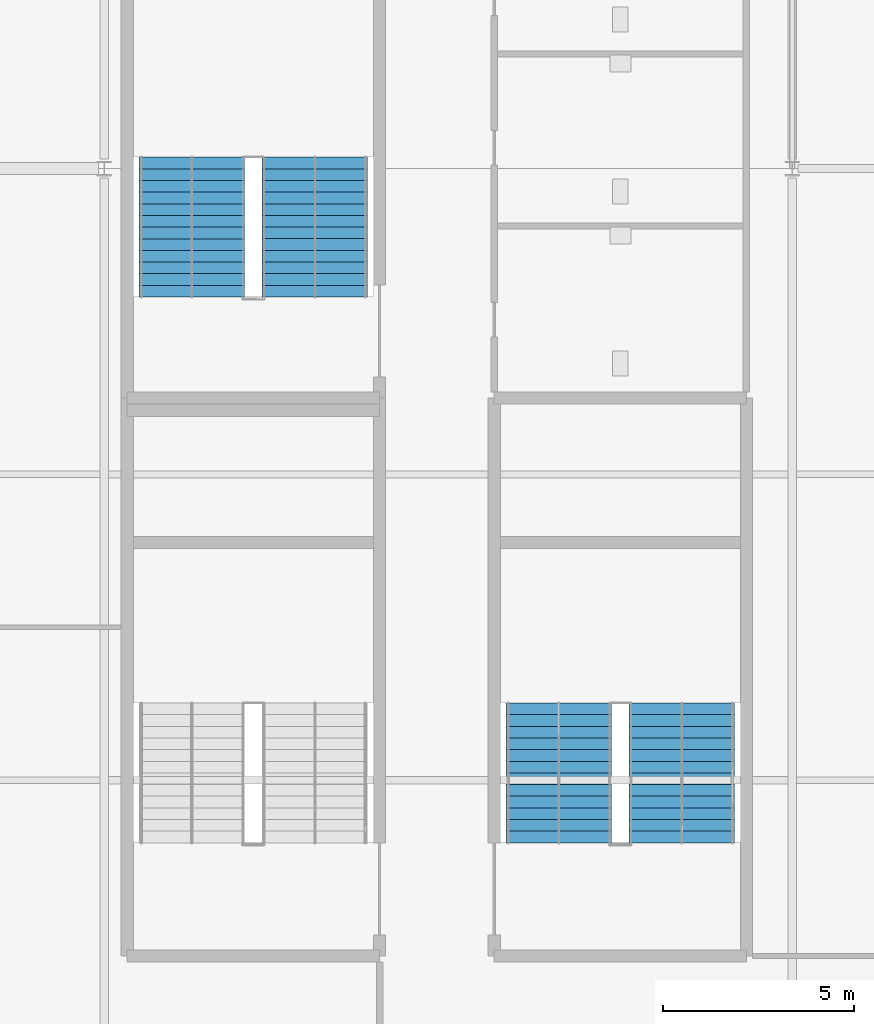
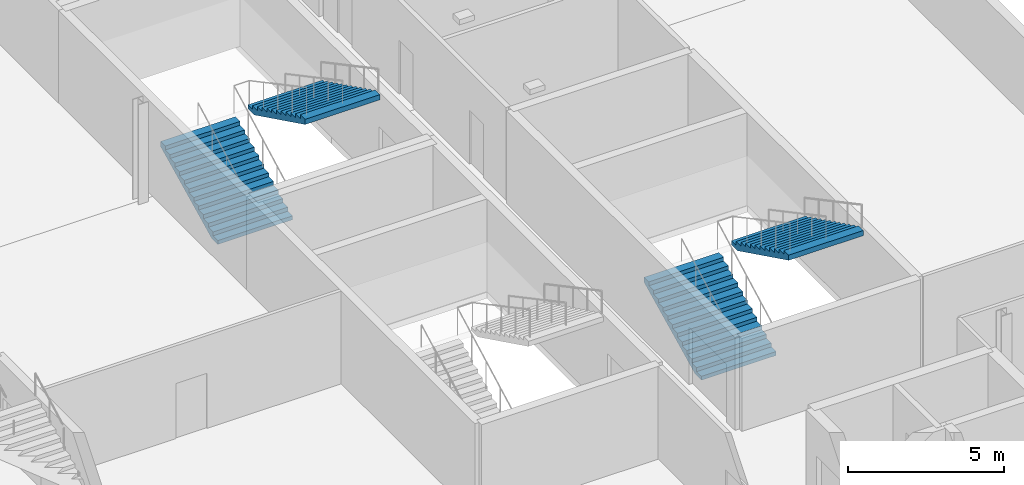
# One storey, part 87 of 98: 4 stair flights, 2 elements without a shape of their own.
"""IFC4 building model written with IfcOpenShell, lengths in metres."""

from ifc_helpers import new_model, si_unit, direction, frame, origin, place, context, subcontext, project, spatial, polygons, material, type_object, element, aggregate, save


model = new_model("IFC4")

# Units and contexts
model_context = context("Model", 3, precision=1e-05, world=origin(), true_north=direction((0.0, 1.0)))
body_context = subcontext(model_context, "Body", "Model", "MODEL_VIEW")
ifc_project = project(units=[si_unit("LENGTHUNIT", "METRE"), si_unit("AREAUNIT", "SQUARE_METRE"), si_unit("VOLUMEUNIT", "CUBIC_METRE"), si_unit("PLANEANGLEUNIT", "RADIAN"), si_unit("MASSUNIT", "GRAM", prefix="KILO")], contexts=[model_context])

# Site, building, storey
site_placement = place(None, origin())
site = spatial("IfcSite", under=ifc_project, at=site_placement, CompositionType="ELEMENT")
building_placement = place(site_placement, origin())
building = spatial("IfcBuilding", under=site, at=building_placement, Name="Kisiwana Market Hall", CompositionType="ELEMENT")
storey_placement = place(building_placement, frame((0.0, 0.0, 29.39990234375)))
storey = spatial("IfcBuildingStorey", under=building, at=storey_placement, Name="L06", CompositionType="ELEMENT", Elevation=29.39990234375)

# Stair, stair flights
ifc_material_1 = material(Name="Concrete C32/40", Category="concrete")
stair_type = type_object("IfcStairType", Name="ST-ESC-3900", PredefinedType="TWO_STRAIGHT_RUN_STAIR", material=ifc_material_1)
stair_1_placement = place(storey_placement, origin())
stair_1 = element("IfcStair", 1, at=stair_1_placement, inside=storey, type_object=stair_type, Name="Escape stair ST-E3-L06", PredefinedType="TWO_STRAIGHT_RUN_STAIR")
ifc_material_2 = material(Name="Concrete C32/40", Category="concrete")
stair_flight_type = type_object("IfcStairFlightType", Name="SF-ESC-3900", PredefinedType="STRAIGHT", material=ifc_material_2)
stair_flight_1_placement = place(storey_placement, frame((182.889892578125, 42.360107421875, 0.0), z_axis=(0.0, 0.0, 1.0), x_axis=(0.0, 1.0, 0.0)))
stair_flight_1 = element("IfcStairFlight", 2, at=stair_flight_1_placement, type_object=stair_flight_type, Name="ST-E3-L06 flight 1", NumberOfRisers=13, NumberOfTreads=12, PredefinedType="STRAIGHT", RiserHeight=0.15, TreadLength=0.305, context=body_context, shape_type="Tessellation", body=[
    polygons([(0.0, -1.380127, 0.0), (0.0, -0.690125, 0.0), (0.0, -0.000122, 0.0), (0.0, 0.68988, 0.0), (0.0, 1.379883, 0.0), (0.0, -1.380127, 0.149902), (0.0, -0.690125, 0.149902), (0.0, -0.000122, 0.149902), (0.0, 0.68988, 0.149902), (0.0, 1.379883, 0.149902), (0.304932, -1.380127, 0.149902), (0.304932, -0.690125, 0.149902), (0.304932, -0.000122, 0.149902), (0.304932, 0.68988, 0.149902), (0.304932, 1.379883, 0.149902), (0.304932, -1.380127, 0.300049), (0.304932, -0.690125, 0.300049), (0.304932, -0.000122, 0.300049), (0.304932, 0.68988, 0.300049), (0.304932, 1.379883, 0.300049), (0.610107, -1.380127, 0.300049), (0.610107, -0.690125, 0.300049), (0.610107, -0.000122, 0.300049), (0.610107, 0.68988, 0.300049), (0.610107, 1.379883, 0.300049), (0.610107, -1.380127, 0.449951), (0.610107, -0.690125, 0.449951), (0.610107, -0.000122, 0.449951), (0.610107, 0.68988, 0.449951), (0.610107, 1.379883, 0.449951), (0.915039, -1.380127, 0.449951), (0.915039, -0.690125, 0.449951), (0.915039, -0.000122, 0.449951), (0.915039, 0.68988, 0.449951), (0.915039, 1.379883, 0.449951), (0.915039, -1.380127, 0.600098), (0.915039, -0.690125, 0.600098), (0.915039, -0.000122, 0.600098), (0.915039, 0.68988, 0.600098), (0.915039, 1.379883, 0.600098), (1.219971, -1.380127, 0.600098), (1.219971, -0.690125, 0.600098), (1.219971, -0.000122, 0.600098), (1.219971, 0.68988, 0.600098), (1.219971, 1.379883, 0.600098), (1.219971, -1.380127, 0.75), (1.219971, -0.690125, 0.75), (1.219971, -0.000122, 0.75), (1.219971, 0.68988, 0.75), (1.219971, 1.379883, 0.75), (1.524902, -1.380127, 0.75), (1.524902, -0.690125, 0.75), (1.524902, -0.000122, 0.75), (1.524902, 0.68988, 0.75), (1.524902, 1.379883, 0.75), (1.524902, -1.380127, 0.899902), (1.524902, -0.690125, 0.899902), (1.524902, -0.000122, 0.899902), (1.524902, 0.68988, 0.899902), (1.524902, 1.379883, 0.899902), (1.830078, -1.380127, 0.899902), (1.830078, -0.690125, 0.899902), (1.830078, -0.000122, 0.899902), (1.830078, 0.68988, 0.899902), (1.830078, 1.379883, 0.899902), (1.830078, -1.380127, 1.050049), (1.830078, -0.690125, 1.050049), (1.830078, -0.000122, 1.050049), (1.830078, 0.68988, 1.050049), (1.830078, 1.379883, 1.050049), (2.13501, -1.380127, 1.050049), (2.13501, -0.690125, 1.050049), (2.13501, -0.000122, 1.050049), (2.13501, 0.68988, 1.050049), (2.13501, 1.379883, 1.050049), (2.13501, -1.380127, 1.199951), (2.13501, -0.690125, 1.199951), (2.13501, -0.000122, 1.199951), (2.13501, 0.68988, 1.199951), (2.13501, 1.379883, 1.199951), (2.439941, -1.380127, 1.199951), (2.439941, -0.690125, 1.199951), (2.439941, -0.000122, 1.199951), (2.439941, 0.68988, 1.199951), (2.439941, 1.379883, 1.199951), (2.439941, -1.380127, 1.350098), (2.439941, -0.690125, 1.350098), (2.439941, -0.000122, 1.350098), (2.439941, 0.68988, 1.350098), (2.439941, 1.379883, 1.350098), (2.745117, -1.380127, 1.350098), (2.745117, -0.690125, 1.350098), (2.745117, -0.000122, 1.350098), (2.745117, 0.68988, 1.350098), (2.745117, 1.379883, 1.350098), (2.745117, -1.380127, 1.5), (2.745117, -0.690125, 1.5), (2.745117, -0.000122, 1.5), (2.745117, 0.68988, 1.5), (2.745117, 1.379883, 1.5), (3.050049, -1.380127, 1.5), (3.050049, -0.690125, 1.5), (3.050049, -0.000122, 1.5), (3.050049, 0.68988, 1.5), (3.050049, 1.379883, 1.5), (3.050049, -1.380127, 1.649902), (3.050049, -0.690125, 1.649902), (3.050049, -0.000122, 1.649902), (3.050049, 0.68988, 1.649902), (3.050049, 1.379883, 1.649902), (3.35498, -1.380127, 1.649902), (3.35498, -0.690125, 1.649902), (3.35498, -0.000122, 1.649902), (3.35498, 0.68988, 1.649902), (3.35498, 1.379883, 1.649902), (3.35498, -1.380127, 1.800049), (3.35498, -0.690125, 1.800049), (3.35498, -0.000122, 1.800049), (3.35498, 0.68988, 1.800049), (3.35498, 1.379883, 1.800049), (3.659912, -1.380127, 1.800049), (3.659912, -0.690125, 1.800049), (3.659912, -0.000122, 1.800049), (3.659912, 0.68988, 1.800049), (3.659912, 1.379883, 1.800049), (3.659912, -1.380127, 1.599365), (3.659912, -0.690125, 1.599365), (3.659912, -0.000122, 1.599365), (3.659912, 0.68988, 1.599365), (3.659912, 1.379883, 1.599365), (0.407715, -1.380127, 0.0), (0.407715, -0.690125, 0.0), (0.407715, -0.000122, 0.0), (0.407715, 0.68988, 0.0), (0.407715, 1.379883, 0.0)], [[[1, 6, 7, 2]], [[2, 7, 8, 3]], [[3, 8, 9, 4]], [[4, 9, 10, 5]], [[6, 11, 12, 7]], [[7, 12, 13, 8]], [[8, 13, 14, 9]], [[9, 14, 15, 10]], [[11, 16, 17, 12]], [[12, 17, 18, 13]], [[13, 18, 19, 14]], [[14, 19, 20, 15]], [[16, 21, 22, 17]], [[17, 22, 23, 18]], [[18, 23, 24, 19]], [[19, 24, 25, 20]], [[21, 26, 27, 22]], [[22, 27, 28, 23]], [[23, 28, 29, 24]], [[24, 29, 30, 25]], [[26, 31, 32, 27]], [[27, 32, 33, 28]], [[28, 33, 34, 29]], [[29, 34, 35, 30]], [[31, 36, 37, 32]], [[32, 37, 38, 33]], [[33, 38, 39, 34]], [[34, 39, 40, 35]], [[36, 41, 42, 37]], [[37, 42, 43, 38]], [[38, 43, 44, 39]], [[39, 44, 45, 40]], [[41, 46, 47, 42]], [[42, 47, 48, 43]], [[43, 48, 49, 44]], [[44, 49, 50, 45]], [[46, 51, 52, 47]], [[47, 52, 53, 48]], [[48, 53, 54, 49]], [[49, 54, 55, 50]], [[51, 56, 57, 52]], [[52, 57, 58, 53]], [[53, 58, 59, 54]], [[54, 59, 60, 55]], [[56, 61, 62, 57]], [[57, 62, 63, 58]], [[58, 63, 64, 59]], [[59, 64, 65, 60]], [[61, 66, 67, 62]], [[62, 67, 68, 63]], [[63, 68, 69, 64]], [[64, 69, 70, 65]], [[66, 71, 72, 67]], [[67, 72, 73, 68]], [[68, 73, 74, 69]], [[69, 74, 75, 70]], [[71, 76, 77, 72]], [[72, 77, 78, 73]], [[73, 78, 79, 74]], [[74, 79, 80, 75]], [[76, 81, 82, 77]], [[77, 82, 83, 78]], [[78, 83, 84, 79]], [[79, 84, 85, 80]], [[81, 86, 87, 82]], [[82, 87, 88, 83]], [[83, 88, 89, 84]], [[84, 89, 90, 85]], [[86, 91, 92, 87]], [[87, 92, 93, 88]], [[88, 93, 94, 89]], [[89, 94, 95, 90]], [[91, 96, 97, 92]], [[92, 97, 98, 93]], [[93, 98, 99, 94]], [[94, 99, 100, 95]], [[96, 101, 102, 97]], [[97, 102, 103, 98]], [[98, 103, 104, 99]], [[99, 104, 105, 100]], [[101, 106, 107, 102]], [[102, 107, 108, 103]], [[103, 108, 109, 104]], [[104, 109, 110, 105]], [[106, 111, 112, 107]], [[107, 112, 113, 108]], [[108, 113, 114, 109]], [[109, 114, 115, 110]], [[111, 116, 117, 112]], [[112, 117, 118, 113]], [[113, 118, 119, 114]], [[114, 119, 120, 115]], [[116, 121, 122, 117]], [[117, 122, 123, 118]], [[118, 123, 124, 119]], [[119, 124, 125, 120]], [[121, 126, 127, 122]], [[122, 127, 128, 123]], [[123, 128, 129, 124]], [[124, 129, 130, 125]], [[126, 131, 132, 127]], [[127, 132, 133, 128]], [[128, 133, 134, 129]], [[129, 134, 135, 130]], [[131, 1, 2, 132]], [[132, 2, 3, 133]], [[133, 3, 4, 134]], [[134, 4, 5, 135]], [[131, 126, 121, 116, 111, 106, 101, 96, 91, 86, 81, 76, 71, 66, 61, 56, 51, 46, 41, 36, 31, 26, 21, 16, 11, 6, 1]], [[5, 10, 15, 20, 25, 30, 35, 40, 45, 50, 55, 60, 65, 70, 75, 80, 85, 90, 95, 100, 105, 110, 115, 120, 125, 130, 135]]], closed=True),
])
stair_flight_2_placement = place(storey_placement, frame((186.110107421875, 46.02001953125, 1.9501953125), z_axis=(0.0, 0.0, 1.0), x_axis=(0.0, -1.0, 0.0)))
stair_flight_2 = element("IfcStairFlight", 3, at=stair_flight_2_placement, type_object=stair_flight_type, Name="ST-E3-L06 flight 2", NumberOfRisers=13, NumberOfTreads=12, PredefinedType="STRAIGHT", RiserHeight=0.15, TreadLength=0.305, context=body_context, shape_type="Tessellation", body=[
    polygons([(0.0, -1.380127, 0.0), (0.0, -0.690125, 0.0), (0.0, -0.000122, 0.0), (0.0, 0.68988, 0.0), (0.0, 1.379883, 0.0), (0.0, -1.380127, 0.149902), (0.0, -0.690125, 0.149902), (0.0, -0.000122, 0.149902), (0.0, 0.68988, 0.149902), (0.0, 1.379883, 0.149902), (0.304932, -1.380127, 0.149902), (0.304932, -0.690125, 0.149902), (0.304932, -0.000122, 0.149902), (0.304932, 0.68988, 0.149902), (0.304932, 1.379883, 0.149902), (0.304932, -1.380127, 0.300049), (0.304932, -0.690125, 0.300049), (0.304932, -0.000122, 0.300049), (0.304932, 0.68988, 0.300049), (0.304932, 1.379883, 0.300049), (0.610107, -1.380127, 0.300049), (0.610107, -0.690125, 0.300049), (0.610107, -0.000122, 0.300049), (0.610107, 0.68988, 0.300049), (0.610107, 1.379883, 0.300049), (0.610107, -1.380127, 0.449951), (0.610107, -0.690125, 0.449951), (0.610107, -0.000122, 0.449951), (0.610107, 0.68988, 0.449951), (0.610107, 1.379883, 0.449951), (0.915039, -1.380127, 0.449951), (0.915039, -0.690125, 0.449951), (0.915039, -0.000122, 0.449951), (0.915039, 0.68988, 0.449951), (0.915039, 1.379883, 0.449951), (0.915039, -1.380127, 0.600098), (0.915039, -0.690125, 0.600098), (0.915039, -0.000122, 0.600098), (0.915039, 0.68988, 0.600098), (0.915039, 1.379883, 0.600098), (1.219971, -1.380127, 0.600098), (1.219971, -0.690125, 0.600098), (1.219971, -0.000122, 0.600098), (1.219971, 0.68988, 0.600098), (1.219971, 1.379883, 0.600098), (1.219971, -1.380127, 0.75), (1.219971, -0.690125, 0.75), (1.219971, -0.000122, 0.75), (1.219971, 0.68988, 0.75), (1.219971, 1.379883, 0.75), (1.524902, -1.380127, 0.75), (1.524902, -0.690125, 0.75), (1.524902, -0.000122, 0.75), (1.524902, 0.68988, 0.75), (1.524902, 1.379883, 0.75), (1.524902, -1.380127, 0.899902), (1.524902, -0.690125, 0.899902), (1.524902, -0.000122, 0.899902), (1.524902, 0.68988, 0.899902), (1.524902, 1.379883, 0.899902), (1.830078, -1.380127, 0.899902), (1.830078, -0.690125, 0.899902), (1.830078, -0.000122, 0.899902), (1.830078, 0.68988, 0.899902), (1.830078, 1.379883, 0.899902), (1.830078, -1.380127, 1.050049), (1.830078, -0.690125, 1.050049), (1.830078, -0.000122, 1.050049), (1.830078, 0.68988, 1.050049), (1.830078, 1.379883, 1.050049), (2.13501, -1.380127, 1.050049), (2.13501, -0.690125, 1.050049), (2.13501, -0.000122, 1.050049), (2.13501, 0.68988, 1.050049), (2.13501, 1.379883, 1.050049), (2.13501, -1.380127, 1.199951), (2.13501, -0.690125, 1.199951), (2.13501, -0.000122, 1.199951), (2.13501, 0.68988, 1.199951), (2.13501, 1.379883, 1.199951), (2.439941, -1.380127, 1.199951), (2.439941, -0.690125, 1.199951), (2.439941, -0.000122, 1.199951), (2.439941, 0.68988, 1.199951), (2.439941, 1.379883, 1.199951), (2.439941, -1.380127, 1.350098), (2.439941, -0.690125, 1.350098), (2.439941, -0.000122, 1.350098), (2.439941, 0.68988, 1.350098), (2.439941, 1.379883, 1.350098), (2.745117, -1.380127, 1.350098), (2.745117, -0.690125, 1.350098), (2.745117, -0.000122, 1.350098), (2.745117, 0.68988, 1.350098), (2.745117, 1.379883, 1.350098), (2.745117, -1.380127, 1.5), (2.745117, -0.690125, 1.5), (2.745117, -0.000122, 1.5), (2.745117, 0.68988, 1.5), (2.745117, 1.379883, 1.5), (3.050049, -1.380127, 1.5), (3.050049, -0.690125, 1.5), (3.050049, -0.000122, 1.5), (3.050049, 0.68988, 1.5), (3.050049, 1.379883, 1.5), (3.050049, -1.380127, 1.649902), (3.050049, -0.690125, 1.649902), (3.050049, -0.000122, 1.649902), (3.050049, 0.68988, 1.649902), (3.050049, 1.379883, 1.649902), (3.35498, -1.380127, 1.649902), (3.35498, -0.690125, 1.649902), (3.35498, -0.000122, 1.649902), (3.35498, 0.68988, 1.649902), (3.35498, 1.379883, 1.649902), (3.35498, -1.380127, 1.800049), (3.35498, -0.690125, 1.800049), (3.35498, -0.000122, 1.800049), (3.35498, 0.68988, 1.800049), (3.35498, 1.379883, 1.800049), (3.659912, -1.380127, 1.800049), (3.659912, -0.690125, 1.800049), (3.659912, -0.000122, 1.800049), (3.659912, 0.68988, 1.800049), (3.659912, 1.379883, 1.800049), (3.659912, -1.380127, 1.599365), (3.659912, -0.690125, 1.599365), (3.659912, -0.000122, 1.599365), (3.659912, 0.68988, 1.599365), (3.659912, 1.379883, 1.599365), (0.407715, -1.380127, 0.0), (0.407715, -0.690125, 0.0), (0.407715, -0.000122, 0.0), (0.407715, 0.68988, 0.0), (0.407715, 1.379883, 0.0)], [[[1, 6, 7, 2]], [[2, 7, 8, 3]], [[3, 8, 9, 4]], [[4, 9, 10, 5]], [[6, 11, 12, 7]], [[7, 12, 13, 8]], [[8, 13, 14, 9]], [[9, 14, 15, 10]], [[11, 16, 17, 12]], [[12, 17, 18, 13]], [[13, 18, 19, 14]], [[14, 19, 20, 15]], [[16, 21, 22, 17]], [[17, 22, 23, 18]], [[18, 23, 24, 19]], [[19, 24, 25, 20]], [[21, 26, 27, 22]], [[22, 27, 28, 23]], [[23, 28, 29, 24]], [[24, 29, 30, 25]], [[26, 31, 32, 27]], [[27, 32, 33, 28]], [[28, 33, 34, 29]], [[29, 34, 35, 30]], [[31, 36, 37, 32]], [[32, 37, 38, 33]], [[33, 38, 39, 34]], [[34, 39, 40, 35]], [[36, 41, 42, 37]], [[37, 42, 43, 38]], [[38, 43, 44, 39]], [[39, 44, 45, 40]], [[41, 46, 47, 42]], [[42, 47, 48, 43]], [[43, 48, 49, 44]], [[44, 49, 50, 45]], [[46, 51, 52, 47]], [[47, 52, 53, 48]], [[48, 53, 54, 49]], [[49, 54, 55, 50]], [[51, 56, 57, 52]], [[52, 57, 58, 53]], [[53, 58, 59, 54]], [[54, 59, 60, 55]], [[56, 61, 62, 57]], [[57, 62, 63, 58]], [[58, 63, 64, 59]], [[59, 64, 65, 60]], [[61, 66, 67, 62]], [[62, 67, 68, 63]], [[63, 68, 69, 64]], [[64, 69, 70, 65]], [[66, 71, 72, 67]], [[67, 72, 73, 68]], [[68, 73, 74, 69]], [[69, 74, 75, 70]], [[71, 76, 77, 72]], [[72, 77, 78, 73]], [[73, 78, 79, 74]], [[74, 79, 80, 75]], [[76, 81, 82, 77]], [[77, 82, 83, 78]], [[78, 83, 84, 79]], [[79, 84, 85, 80]], [[81, 86, 87, 82]], [[82, 87, 88, 83]], [[83, 88, 89, 84]], [[84, 89, 90, 85]], [[86, 91, 92, 87]], [[87, 92, 93, 88]], [[88, 93, 94, 89]], [[89, 94, 95, 90]], [[91, 96, 97, 92]], [[92, 97, 98, 93]], [[93, 98, 99, 94]], [[94, 99, 100, 95]], [[96, 101, 102, 97]], [[97, 102, 103, 98]], [[98, 103, 104, 99]], [[99, 104, 105, 100]], [[101, 106, 107, 102]], [[102, 107, 108, 103]], [[103, 108, 109, 104]], [[104, 109, 110, 105]], [[106, 111, 112, 107]], [[107, 112, 113, 108]], [[108, 113, 114, 109]], [[109, 114, 115, 110]], [[111, 116, 117, 112]], [[112, 117, 118, 113]], [[113, 118, 119, 114]], [[114, 119, 120, 115]], [[116, 121, 122, 117]], [[117, 122, 123, 118]], [[118, 123, 124, 119]], [[119, 124, 125, 120]], [[121, 126, 127, 122]], [[122, 127, 128, 123]], [[123, 128, 129, 124]], [[124, 129, 130, 125]], [[126, 131, 132, 127]], [[127, 132, 133, 128]], [[128, 133, 134, 129]], [[129, 134, 135, 130]], [[131, 1, 2, 132]], [[132, 2, 3, 133]], [[133, 3, 4, 134]], [[134, 4, 5, 135]], [[131, 126, 121, 116, 111, 106, 101, 96, 91, 86, 81, 76, 71, 66, 61, 56, 51, 46, 41, 36, 31, 26, 21, 16, 11, 6, 1]], [[5, 10, 15, 20, 25, 30, 35, 40, 45, 50, 55, 60, 65, 70, 75, 80, 85, 90, 95, 100, 105, 110, 115, 120, 125, 130, 135]]], closed=True),
])
aggregate(stair_1, [stair_flight_1, stair_flight_2])

stair_2_placement = place(storey_placement, origin())
stair_2 = element("IfcStair", 4, at=stair_2_placement, inside=storey, type_object=stair_type, Name="Escape stair ST-E5-L06", PredefinedType="TWO_STRAIGHT_RUN_STAIR")
stair_flight_3_placement = place(storey_placement, frame((173.2900390625, 56.639892578125, 0.0), z_axis=(0.0, 0.0, 1.0), x_axis=(0.0, 1.0, 0.0)))
stair_flight_3 = element("IfcStairFlight", 5, at=stair_flight_3_placement, type_object=stair_flight_type, Name="ST-E5-L06 flight 1", NumberOfRisers=13, NumberOfTreads=12, PredefinedType="STRAIGHT", RiserHeight=0.15, TreadLength=0.305, context=body_context, shape_type="Tessellation", body=[
    polygons([(0.0, -1.380127, 0.0), (0.0, -0.690125, 0.0), (0.0, -0.000122, 0.0), (0.0, 0.68988, 0.0), (0.0, 1.379883, 0.0), (0.0, -1.380127, 0.149902), (0.0, -0.690125, 0.149902), (0.0, -0.000122, 0.149902), (0.0, 0.68988, 0.149902), (0.0, 1.379883, 0.149902), (0.304932, -1.380127, 0.149902), (0.304932, -0.690125, 0.149902), (0.304932, -0.000122, 0.149902), (0.304932, 0.68988, 0.149902), (0.304932, 1.379883, 0.149902), (0.304932, -1.380127, 0.300049), (0.304932, -0.690125, 0.300049), (0.304932, -0.000122, 0.300049), (0.304932, 0.68988, 0.300049), (0.304932, 1.379883, 0.300049), (0.610107, -1.380127, 0.300049), (0.610107, -0.690125, 0.300049), (0.610107, -0.000122, 0.300049), (0.610107, 0.68988, 0.300049), (0.610107, 1.379883, 0.300049), (0.610107, -1.380127, 0.449951), (0.610107, -0.690125, 0.449951), (0.610107, -0.000122, 0.449951), (0.610107, 0.68988, 0.449951), (0.610107, 1.379883, 0.449951), (0.915039, -1.380127, 0.449951), (0.915039, -0.690125, 0.449951), (0.915039, -0.000122, 0.449951), (0.915039, 0.68988, 0.449951), (0.915039, 1.379883, 0.449951), (0.915039, -1.380127, 0.600098), (0.915039, -0.690125, 0.600098), (0.915039, -0.000122, 0.600098), (0.915039, 0.68988, 0.600098), (0.915039, 1.379883, 0.600098), (1.219971, -1.380127, 0.600098), (1.219971, -0.690125, 0.600098), (1.219971, -0.000122, 0.600098), (1.219971, 0.68988, 0.600098), (1.219971, 1.379883, 0.600098), (1.219971, -1.380127, 0.75), (1.219971, -0.690125, 0.75), (1.219971, -0.000122, 0.75), (1.219971, 0.68988, 0.75), (1.219971, 1.379883, 0.75), (1.524902, -1.380127, 0.75), (1.524902, -0.690125, 0.75), (1.524902, -0.000122, 0.75), (1.524902, 0.68988, 0.75), (1.524902, 1.379883, 0.75), (1.524902, -1.380127, 0.899902), (1.524902, -0.690125, 0.899902), (1.524902, -0.000122, 0.899902), (1.524902, 0.68988, 0.899902), (1.524902, 1.379883, 0.899902), (1.830078, -1.380127, 0.899902), (1.830078, -0.690125, 0.899902), (1.830078, -0.000122, 0.899902), (1.830078, 0.68988, 0.899902), (1.830078, 1.379883, 0.899902), (1.830078, -1.380127, 1.050049), (1.830078, -0.690125, 1.050049), (1.830078, -0.000122, 1.050049), (1.830078, 0.68988, 1.050049), (1.830078, 1.379883, 1.050049), (2.13501, -1.380127, 1.050049), (2.13501, -0.690125, 1.050049), (2.13501, -0.000122, 1.050049), (2.13501, 0.68988, 1.050049), (2.13501, 1.379883, 1.050049), (2.13501, -1.380127, 1.199951), (2.13501, -0.690125, 1.199951), (2.13501, -0.000122, 1.199951), (2.13501, 0.68988, 1.199951), (2.13501, 1.379883, 1.199951), (2.439941, -1.380127, 1.199951), (2.439941, -0.690125, 1.199951), (2.439941, -0.000122, 1.199951), (2.439941, 0.68988, 1.199951), (2.439941, 1.379883, 1.199951), (2.439941, -1.380127, 1.350098), (2.439941, -0.690125, 1.350098), (2.439941, -0.000122, 1.350098), (2.439941, 0.68988, 1.350098), (2.439941, 1.379883, 1.350098), (2.745117, -1.380127, 1.350098), (2.745117, -0.690125, 1.350098), (2.745117, -0.000122, 1.350098), (2.745117, 0.68988, 1.350098), (2.745117, 1.379883, 1.350098), (2.745117, -1.380127, 1.5), (2.745117, -0.690125, 1.5), (2.745117, -0.000122, 1.5), (2.745117, 0.68988, 1.5), (2.745117, 1.379883, 1.5), (3.050049, -1.380127, 1.5), (3.050049, -0.690125, 1.5), (3.050049, -0.000122, 1.5), (3.050049, 0.68988, 1.5), (3.050049, 1.379883, 1.5), (3.050049, -1.380127, 1.649902), (3.050049, -0.690125, 1.649902), (3.050049, -0.000122, 1.649902), (3.050049, 0.68988, 1.649902), (3.050049, 1.379883, 1.649902), (3.35498, -1.380127, 1.649902), (3.35498, -0.690125, 1.649902), (3.35498, -0.000122, 1.649902), (3.35498, 0.68988, 1.649902), (3.35498, 1.379883, 1.649902), (3.35498, -1.380127, 1.800049), (3.35498, -0.690125, 1.800049), (3.35498, -0.000122, 1.800049), (3.35498, 0.68988, 1.800049), (3.35498, 1.379883, 1.800049), (3.659912, -1.380127, 1.800049), (3.659912, -0.690125, 1.800049), (3.659912, -0.000122, 1.800049), (3.659912, 0.68988, 1.800049), (3.659912, 1.379883, 1.800049), (3.659912, -1.380127, 1.599365), (3.659912, -0.690125, 1.599365), (3.659912, -0.000122, 1.599365), (3.659912, 0.68988, 1.599365), (3.659912, 1.379883, 1.599365), (0.407715, -1.380127, 0.0), (0.407715, -0.690125, 0.0), (0.407715, -0.000122, 0.0), (0.407715, 0.68988, 0.0), (0.407715, 1.379883, 0.0)], [[[1, 6, 7, 2]], [[2, 7, 8, 3]], [[3, 8, 9, 4]], [[4, 9, 10, 5]], [[6, 11, 12, 7]], [[7, 12, 13, 8]], [[8, 13, 14, 9]], [[9, 14, 15, 10]], [[11, 16, 17, 12]], [[12, 17, 18, 13]], [[13, 18, 19, 14]], [[14, 19, 20, 15]], [[16, 21, 22, 17]], [[17, 22, 23, 18]], [[18, 23, 24, 19]], [[19, 24, 25, 20]], [[21, 26, 27, 22]], [[22, 27, 28, 23]], [[23, 28, 29, 24]], [[24, 29, 30, 25]], [[26, 31, 32, 27]], [[27, 32, 33, 28]], [[28, 33, 34, 29]], [[29, 34, 35, 30]], [[31, 36, 37, 32]], [[32, 37, 38, 33]], [[33, 38, 39, 34]], [[34, 39, 40, 35]], [[36, 41, 42, 37]], [[37, 42, 43, 38]], [[38, 43, 44, 39]], [[39, 44, 45, 40]], [[41, 46, 47, 42]], [[42, 47, 48, 43]], [[43, 48, 49, 44]], [[44, 49, 50, 45]], [[46, 51, 52, 47]], [[47, 52, 53, 48]], [[48, 53, 54, 49]], [[49, 54, 55, 50]], [[51, 56, 57, 52]], [[52, 57, 58, 53]], [[53, 58, 59, 54]], [[54, 59, 60, 55]], [[56, 61, 62, 57]], [[57, 62, 63, 58]], [[58, 63, 64, 59]], [[59, 64, 65, 60]], [[61, 66, 67, 62]], [[62, 67, 68, 63]], [[63, 68, 69, 64]], [[64, 69, 70, 65]], [[66, 71, 72, 67]], [[67, 72, 73, 68]], [[68, 73, 74, 69]], [[69, 74, 75, 70]], [[71, 76, 77, 72]], [[72, 77, 78, 73]], [[73, 78, 79, 74]], [[74, 79, 80, 75]], [[76, 81, 82, 77]], [[77, 82, 83, 78]], [[78, 83, 84, 79]], [[79, 84, 85, 80]], [[81, 86, 87, 82]], [[82, 87, 88, 83]], [[83, 88, 89, 84]], [[84, 89, 90, 85]], [[86, 91, 92, 87]], [[87, 92, 93, 88]], [[88, 93, 94, 89]], [[89, 94, 95, 90]], [[91, 96, 97, 92]], [[92, 97, 98, 93]], [[93, 98, 99, 94]], [[94, 99, 100, 95]], [[96, 101, 102, 97]], [[97, 102, 103, 98]], [[98, 103, 104, 99]], [[99, 104, 105, 100]], [[101, 106, 107, 102]], [[102, 107, 108, 103]], [[103, 108, 109, 104]], [[104, 109, 110, 105]], [[106, 111, 112, 107]], [[107, 112, 113, 108]], [[108, 113, 114, 109]], [[109, 114, 115, 110]], [[111, 116, 117, 112]], [[112, 117, 118, 113]], [[113, 118, 119, 114]], [[114, 119, 120, 115]], [[116, 121, 122, 117]], [[117, 122, 123, 118]], [[118, 123, 124, 119]], [[119, 124, 125, 120]], [[121, 126, 127, 122]], [[122, 127, 128, 123]], [[123, 128, 129, 124]], [[124, 129, 130, 125]], [[126, 131, 132, 127]], [[127, 132, 133, 128]], [[128, 133, 134, 129]], [[129, 134, 135, 130]], [[131, 1, 2, 132]], [[132, 2, 3, 133]], [[133, 3, 4, 134]], [[134, 4, 5, 135]], [[131, 126, 121, 116, 111, 106, 101, 96, 91, 86, 81, 76, 71, 66, 61, 56, 51, 46, 41, 36, 31, 26, 21, 16, 11, 6, 1]], [[5, 10, 15, 20, 25, 30, 35, 40, 45, 50, 55, 60, 65, 70, 75, 80, 85, 90, 95, 100, 105, 110, 115, 120, 125, 130, 135]]], closed=True),
])
stair_flight_4_placement = place(storey_placement, frame((176.510009765625, 60.300048828125, 1.9501953125), z_axis=(0.0, 0.0, 1.0), x_axis=(0.0, -1.0, 0.0)))
stair_flight_4 = element("IfcStairFlight", 6, at=stair_flight_4_placement, type_object=stair_flight_type, Name="ST-E5-L06 flight 2", NumberOfRisers=13, NumberOfTreads=12, PredefinedType="STRAIGHT", RiserHeight=0.15, TreadLength=0.305, context=body_context, shape_type="Tessellation", body=[
    polygons([(0.0, -1.380127, 0.0), (0.0, -0.690125, 0.0), (0.0, -0.000122, 0.0), (0.0, 0.68988, 0.0), (0.0, 1.379883, 0.0), (0.0, -1.380127, 0.149902), (0.0, -0.690125, 0.149902), (0.0, -0.000122, 0.149902), (0.0, 0.68988, 0.149902), (0.0, 1.379883, 0.149902), (0.304932, -1.380127, 0.149902), (0.304932, -0.690125, 0.149902), (0.304932, -0.000122, 0.149902), (0.304932, 0.68988, 0.149902), (0.304932, 1.379883, 0.149902), (0.304932, -1.380127, 0.300049), (0.304932, -0.690125, 0.300049), (0.304932, -0.000122, 0.300049), (0.304932, 0.68988, 0.300049), (0.304932, 1.379883, 0.300049), (0.610107, -1.380127, 0.300049), (0.610107, -0.690125, 0.300049), (0.610107, -0.000122, 0.300049), (0.610107, 0.68988, 0.300049), (0.610107, 1.379883, 0.300049), (0.610107, -1.380127, 0.449951), (0.610107, -0.690125, 0.449951), (0.610107, -0.000122, 0.449951), (0.610107, 0.68988, 0.449951), (0.610107, 1.379883, 0.449951), (0.915039, -1.380127, 0.449951), (0.915039, -0.690125, 0.449951), (0.915039, -0.000122, 0.449951), (0.915039, 0.68988, 0.449951), (0.915039, 1.379883, 0.449951), (0.915039, -1.380127, 0.600098), (0.915039, -0.690125, 0.600098), (0.915039, -0.000122, 0.600098), (0.915039, 0.68988, 0.600098), (0.915039, 1.379883, 0.600098), (1.219971, -1.380127, 0.600098), (1.219971, -0.690125, 0.600098), (1.219971, -0.000122, 0.600098), (1.219971, 0.68988, 0.600098), (1.219971, 1.379883, 0.600098), (1.219971, -1.380127, 0.75), (1.219971, -0.690125, 0.75), (1.219971, -0.000122, 0.75), (1.219971, 0.68988, 0.75), (1.219971, 1.379883, 0.75), (1.524902, -1.380127, 0.75), (1.524902, -0.690125, 0.75), (1.524902, -0.000122, 0.75), (1.524902, 0.68988, 0.75), (1.524902, 1.379883, 0.75), (1.524902, -1.380127, 0.899902), (1.524902, -0.690125, 0.899902), (1.524902, -0.000122, 0.899902), (1.524902, 0.68988, 0.899902), (1.524902, 1.379883, 0.899902), (1.830078, -1.380127, 0.899902), (1.830078, -0.690125, 0.899902), (1.830078, -0.000122, 0.899902), (1.830078, 0.68988, 0.899902), (1.830078, 1.379883, 0.899902), (1.830078, -1.380127, 1.050049), (1.830078, -0.690125, 1.050049), (1.830078, -0.000122, 1.050049), (1.830078, 0.68988, 1.050049), (1.830078, 1.379883, 1.050049), (2.13501, -1.380127, 1.050049), (2.13501, -0.690125, 1.050049), (2.13501, -0.000122, 1.050049), (2.13501, 0.68988, 1.050049), (2.13501, 1.379883, 1.050049), (2.13501, -1.380127, 1.199951), (2.13501, -0.690125, 1.199951), (2.13501, -0.000122, 1.199951), (2.13501, 0.68988, 1.199951), (2.13501, 1.379883, 1.199951), (2.439941, -1.380127, 1.199951), (2.439941, -0.690125, 1.199951), (2.439941, -0.000122, 1.199951), (2.439941, 0.68988, 1.199951), (2.439941, 1.379883, 1.199951), (2.439941, -1.380127, 1.350098), (2.439941, -0.690125, 1.350098), (2.439941, -0.000122, 1.350098), (2.439941, 0.68988, 1.350098), (2.439941, 1.379883, 1.350098), (2.745117, -1.380127, 1.350098), (2.745117, -0.690125, 1.350098), (2.745117, -0.000122, 1.350098), (2.745117, 0.68988, 1.350098), (2.745117, 1.379883, 1.350098), (2.745117, -1.380127, 1.5), (2.745117, -0.690125, 1.5), (2.745117, -0.000122, 1.5), (2.745117, 0.68988, 1.5), (2.745117, 1.379883, 1.5), (3.050049, -1.380127, 1.5), (3.050049, -0.690125, 1.5), (3.050049, -0.000122, 1.5), (3.050049, 0.68988, 1.5), (3.050049, 1.379883, 1.5), (3.050049, -1.380127, 1.649902), (3.050049, -0.690125, 1.649902), (3.050049, -0.000122, 1.649902), (3.050049, 0.68988, 1.649902), (3.050049, 1.379883, 1.649902), (3.35498, -1.380127, 1.649902), (3.35498, -0.690125, 1.649902), (3.35498, -0.000122, 1.649902), (3.35498, 0.68988, 1.649902), (3.35498, 1.379883, 1.649902), (3.35498, -1.380127, 1.800049), (3.35498, -0.690125, 1.800049), (3.35498, -0.000122, 1.800049), (3.35498, 0.68988, 1.800049), (3.35498, 1.379883, 1.800049), (3.659912, -1.380127, 1.800049), (3.659912, -0.690125, 1.800049), (3.659912, -0.000122, 1.800049), (3.659912, 0.68988, 1.800049), (3.659912, 1.379883, 1.800049), (3.659912, -1.380127, 1.599365), (3.659912, -0.690125, 1.599365), (3.659912, -0.000122, 1.599365), (3.659912, 0.68988, 1.599365), (3.659912, 1.379883, 1.599365), (0.407715, -1.380127, 0.0), (0.407715, -0.690125, 0.0), (0.407715, -0.000122, 0.0), (0.407715, 0.68988, 0.0), (0.407715, 1.379883, 0.0)], [[[1, 6, 7, 2]], [[2, 7, 8, 3]], [[3, 8, 9, 4]], [[4, 9, 10, 5]], [[6, 11, 12, 7]], [[7, 12, 13, 8]], [[8, 13, 14, 9]], [[9, 14, 15, 10]], [[11, 16, 17, 12]], [[12, 17, 18, 13]], [[13, 18, 19, 14]], [[14, 19, 20, 15]], [[16, 21, 22, 17]], [[17, 22, 23, 18]], [[18, 23, 24, 19]], [[19, 24, 25, 20]], [[21, 26, 27, 22]], [[22, 27, 28, 23]], [[23, 28, 29, 24]], [[24, 29, 30, 25]], [[26, 31, 32, 27]], [[27, 32, 33, 28]], [[28, 33, 34, 29]], [[29, 34, 35, 30]], [[31, 36, 37, 32]], [[32, 37, 38, 33]], [[33, 38, 39, 34]], [[34, 39, 40, 35]], [[36, 41, 42, 37]], [[37, 42, 43, 38]], [[38, 43, 44, 39]], [[39, 44, 45, 40]], [[41, 46, 47, 42]], [[42, 47, 48, 43]], [[43, 48, 49, 44]], [[44, 49, 50, 45]], [[46, 51, 52, 47]], [[47, 52, 53, 48]], [[48, 53, 54, 49]], [[49, 54, 55, 50]], [[51, 56, 57, 52]], [[52, 57, 58, 53]], [[53, 58, 59, 54]], [[54, 59, 60, 55]], [[56, 61, 62, 57]], [[57, 62, 63, 58]], [[58, 63, 64, 59]], [[59, 64, 65, 60]], [[61, 66, 67, 62]], [[62, 67, 68, 63]], [[63, 68, 69, 64]], [[64, 69, 70, 65]], [[66, 71, 72, 67]], [[67, 72, 73, 68]], [[68, 73, 74, 69]], [[69, 74, 75, 70]], [[71, 76, 77, 72]], [[72, 77, 78, 73]], [[73, 78, 79, 74]], [[74, 79, 80, 75]], [[76, 81, 82, 77]], [[77, 82, 83, 78]], [[78, 83, 84, 79]], [[79, 84, 85, 80]], [[81, 86, 87, 82]], [[82, 87, 88, 83]], [[83, 88, 89, 84]], [[84, 89, 90, 85]], [[86, 91, 92, 87]], [[87, 92, 93, 88]], [[88, 93, 94, 89]], [[89, 94, 95, 90]], [[91, 96, 97, 92]], [[92, 97, 98, 93]], [[93, 98, 99, 94]], [[94, 99, 100, 95]], [[96, 101, 102, 97]], [[97, 102, 103, 98]], [[98, 103, 104, 99]], [[99, 104, 105, 100]], [[101, 106, 107, 102]], [[102, 107, 108, 103]], [[103, 108, 109, 104]], [[104, 109, 110, 105]], [[106, 111, 112, 107]], [[107, 112, 113, 108]], [[108, 113, 114, 109]], [[109, 114, 115, 110]], [[111, 116, 117, 112]], [[112, 117, 118, 113]], [[113, 118, 119, 114]], [[114, 119, 120, 115]], [[116, 121, 122, 117]], [[117, 122, 123, 118]], [[118, 123, 124, 119]], [[119, 124, 125, 120]], [[121, 126, 127, 122]], [[122, 127, 128, 123]], [[123, 128, 129, 124]], [[124, 129, 130, 125]], [[126, 131, 132, 127]], [[127, 132, 133, 128]], [[128, 133, 134, 129]], [[129, 134, 135, 130]], [[131, 1, 2, 132]], [[132, 2, 3, 133]], [[133, 3, 4, 134]], [[134, 4, 5, 135]], [[131, 126, 121, 116, 111, 106, 101, 96, 91, 86, 81, 76, 71, 66, 61, 56, 51, 46, 41, 36, 31, 26, 21, 16, 11, 6, 1]], [[5, 10, 15, 20, 25, 30, 35, 40, 45, 50, 55, 60, 65, 70, 75, 80, 85, 90, 95, 100, 105, 110, 115, 120, 125, 130, 135]]], closed=True),
])
aggregate(stair_2, [stair_flight_3, stair_flight_4])

save(model, "model.ifc")
